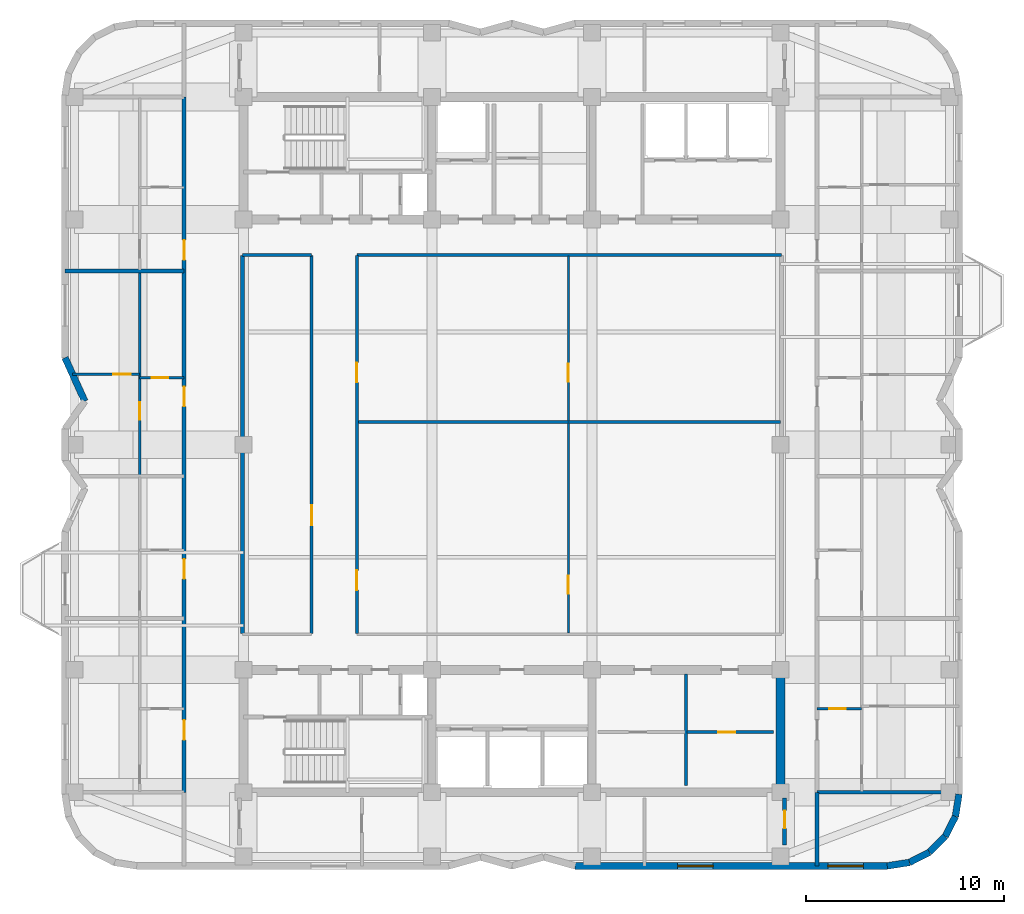
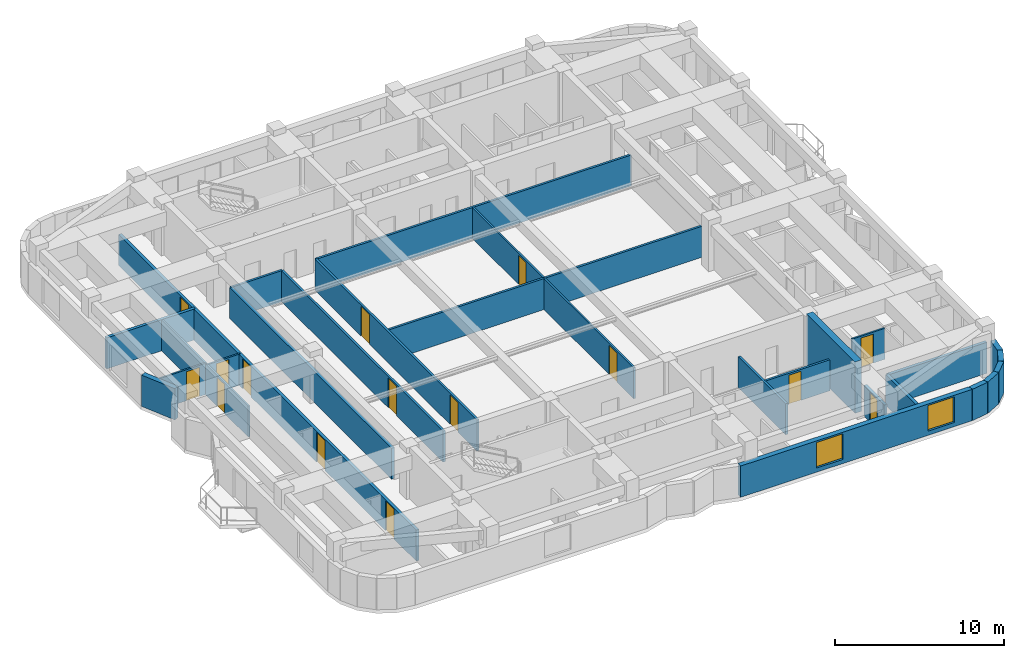
# One storey, part 4 of 9: 27 walls, 15 doors, 2 windows, 17 openings.
"""IFC4 building model written with IfcOpenShell, lengths in metres."""

from ifc_helpers import new_model, si_unit, direction, frame, frame_2d, origin, place, context, subcontext, project, spatial, rectangle, extrude, material, layer, layer_set, type_object, element, fill, save


model = new_model("IFC4")

# Units and contexts
model_context = context("Model", 3, precision=1e-05, world=origin(), true_north=direction((0.0, 1.0)))
body_context = subcontext(model_context, "Body", "Model", "MODEL_VIEW")
ifc_project = project(units=[si_unit("LENGTHUNIT", "METRE"), si_unit("AREAUNIT", "SQUARE_METRE"), si_unit("VOLUMEUNIT", "CUBIC_METRE"), si_unit("PLANEANGLEUNIT", "RADIAN"), si_unit("MASSUNIT", "GRAM", prefix="KILO")], contexts=[model_context])

# Site, building, storey
site_placement = place(None, origin())
site = spatial("IfcSite", under=ifc_project, at=site_placement, CompositionType="ELEMENT")
building_placement = place(site_placement, origin())
building = spatial("IfcBuilding", under=site, at=building_placement, Name="Svetorya Sky Lyceum", CompositionType="ELEMENT")
storey_placement = place(building_placement, frame((0.0, 0.0, 222.10009765625)))
storey = spatial("IfcBuildingStorey", under=building, at=storey_placement, Name="L55", CompositionType="ELEMENT", Elevation=222.10009765625)

# Wall
ifc_material_1 = material(Name="Concrete C50/60", Category="concrete")
ifc_layer_1 = layer(ifc_material_1, 0.449951171875)
ifc_layer_set_1 = layer_set([ifc_layer_1], Name="Concrete C50/60")
wall_type_1 = type_object("IfcWallType", Name="WL-CORE-450", PredefinedType="SHEAR", material=ifc_layer_set_1)
wall_1_placement = place(storey_placement, frame((52.800048828125, 10.824951171875, 0.0), z_axis=(0.0, 0.0, 1.0), x_axis=(0.0, 1.0, 0.0)))
element("IfcWall", 1, at=wall_1_placement, inside=storey, type_object=wall_type_1, Name="L55 SC East Core Shear Wall", PredefinedType="SHEAR", context=body_context, shape_type="SweptSolid", body=[
    extrude(rectangle(XDim=5.75, YDim=0.449951171875, at=frame_2d((2.875, 0.0))), origin(), (0.0, 0.0, 1.0), 3.699951171875),
])

# Wall, openings, windows
ifc_material_2 = material(Name="Putilovo limestone rainscreen on autoclaved cellular masonry", Category="masonry")
ifc_layer_2 = layer(ifc_material_2, 0.340087890625)
ifc_layer_set_2 = layer_set([ifc_layer_2], Name="Putilovo limestone rainscreen on autoclaved cellular masonry")
wall_type_2 = type_object("IfcWallType", Name="WL-EXT-340", PredefinedType="SOLIDWALL", material=ifc_layer_set_2)
wall_2_placement = place(storey_placement, frame((42.39990234375, 6.8701171875, 0.0), z_axis=(0.0, 0.0, 1.0), x_axis=(1.0, 0.0, 0.0)))
wall_2 = element("IfcWall", 2, at=wall_2_placement, inside=storey, type_object=wall_type_2, Name="L55 Limestone Exterior Wall 11M", PredefinedType="SOLIDWALL", context=body_context, shape_type="SweptSolid", body=[
    extrude(rectangle(XDim=15.800048828125, YDim=0.340087890625, at=frame_2d((7.89990234375, 0.0))), origin(), (0.0, 0.0, 1.0), 2.260009765625),
])
opening_1_placement = place(wall_2_placement, frame((5.1875, 0.0, 0.300048828125)))
opening_1 = element("IfcOpeningElement", 3, at=opening_1_placement, cuts=wall_2, Name="Opening W-R1", PredefinedType="OPENING", context=body_context, shape_type="SweptSolid", body=[
    extrude(rectangle(XDim=1.800048828125, YDim=1.85009765625, at=frame_2d((0.89990234375, 0.925048828125))), frame((0.0, 0.179931640625, 0.0), z_axis=(0.0, -1.0, 0.0), x_axis=(1.0, 0.0, 0.0)), (0.0, 0.0, 1.0), 0.360107421875),
])
opening_2_placement = place(wall_2_placement, frame((12.78759765625, 0.0, 0.300048828125)))
opening_2 = element("IfcOpeningElement", 4, at=opening_2_placement, cuts=wall_2, Name="Opening W-R1", PredefinedType="OPENING", context=body_context, shape_type="SweptSolid", body=[
    extrude(rectangle(XDim=1.800048828125, YDim=1.85009765625, at=frame_2d((0.89990234375, 0.925048828125))), frame((0.0, 0.179931640625, 0.0), z_axis=(0.0, -1.0, 0.0), x_axis=(1.0, 0.0, 0.0)), (0.0, 0.0, 1.0), 0.360107421875),
])
ifc_material_3 = material(Name="Thermally broken aluminium frame with triple low-E glazing", Category="aluminium")
window_type = type_object("IfcWindowType", Name="WN-RES-180", PartitioningType="DOUBLE_PANEL_VERTICAL", PredefinedType="WINDOW", material=ifc_material_3)
window_1_placement = place(opening_1_placement, origin())
window_1 = element("IfcWindow", 5, at=window_1_placement, inside=storey, type_object=window_type, Name="L55 Facade Window W-R1.11M.1", OverallHeight=1.85009765625, OverallWidth=1.800048828125, PartitioningType="SINGLE_PANEL", PredefinedType="WINDOW", context=body_context, shape_type="SweptSolid", body=[
    extrude(rectangle(XDim=1.800048828125, YDim=1.85009765625, at=frame_2d((0.89990234375, 0.925048828125))), frame((0.0, 0.030029296875, 0.0), z_axis=(0.0, -1.0, 0.0), x_axis=(1.0, 0.0, 0.0)), (0.0, 0.0, 1.0), 0.06005859375),
])
fill(opening_1, window_1)
window_2_placement = place(opening_2_placement, origin())
window_2 = element("IfcWindow", 6, at=window_2_placement, inside=storey, type_object=window_type, Name="L55 Facade Window W-R1.11M.2", OverallHeight=1.85009765625, OverallWidth=1.800048828125, PartitioningType="SINGLE_PANEL", PredefinedType="WINDOW", context=body_context, shape_type="SweptSolid", body=[
    extrude(rectangle(XDim=1.800048828125, YDim=1.85009765625, at=frame_2d((0.89990234375, 0.925048828125))), frame((0.0, 0.030029296875, 0.0), z_axis=(0.0, -1.0, 0.0), x_axis=(1.0, 0.0, 0.0)), (0.0, 0.0, 1.0), 0.06005859375),
])
fill(opening_2, window_2)

# Walls
for number, where, z_axis, x_axis, name in (
    (7, (58.199951171875, 6.8701171875, 0.0), (0.0, 0.0, 1.0), (0.987714116584, 0.156271634985, 0.0), "L55 Limestone Exterior Wall 12M"),
    (8, (59.32177734375, 7.047607421875, 0.0), (0.0, 0.0, 1.0), (0.891005044957, 0.453993402883, 0.0), "L55 Limestone Exterior Wall 13M"),
):
    element("IfcWall", number, at=place(storey_placement, frame(where, z_axis=z_axis, x_axis=x_axis)), inside=storey, type_object=wall_type_2, Name=name, PredefinedType="SOLIDWALL", context=body_context, shape_type="SweptSolid", body=[
        extrude(rectangle(XDim=1.1357421875, YDim=0.340087890625, at=frame_2d((0.56787109375, 0.0))), origin(), (0.0, 0.0, 1.0), 2.260009765625),
    ])
wall_3_placement = place(storey_placement, frame((60.333740234375, 7.563232421875, 0.0), z_axis=(0.0, 0.0, 1.0), x_axis=(0.707106781187, 0.707106781187, 0.0)))
element("IfcWall", 9, at=wall_3_placement, inside=storey, type_object=wall_type_2, Name="L55 Limestone Exterior Wall 14M", PredefinedType="SOLIDWALL", context=body_context, shape_type="SweptSolid", body=[
    extrude(rectangle(XDim=1.135498046875, YDim=0.340087890625, at=frame_2d((0.56787109375, 0.0))), origin(), (0.0, 0.0, 1.0), 2.260009765625),
])
wall_4_placement = place(storey_placement, frame((61.13671875, 8.3662109375, 0.0), z_axis=(0.0, 0.0, 1.0), x_axis=(0.45390646422, 0.891049337433, 0.0)))
element("IfcWall", 10, at=wall_4_placement, inside=storey, type_object=wall_type_2, Name="L55 Limestone Exterior Wall 15M", PredefinedType="SOLIDWALL", context=body_context, shape_type="SweptSolid", body=[
    extrude(rectangle(XDim=1.135986328125, YDim=0.340087890625, at=frame_2d((0.56787109375, 0.0))), origin(), (0.0, 0.0, 1.0), 2.260009765625),
])
wall_5_placement = place(storey_placement, frame((61.65234375, 9.37841796875, 0.0), z_axis=(0.0, 0.0, 1.0), x_axis=(0.156514556949, 0.987675651954, 0.0)))
element("IfcWall", 11, at=wall_5_placement, inside=storey, type_object=wall_type_2, Name="L55 Limestone Exterior Wall 16M", PredefinedType="SOLIDWALL", context=body_context, shape_type="SweptSolid", body=[
    extrude(rectangle(XDim=1.135498046875, YDim=0.340087890625, at=frame_2d((0.56787109375, 0.0))), origin(), (0.0, 0.0, 1.0), 2.260009765625),
])
wall_6_placement = place(storey_placement, frame((16.570068359375, 32.60009765625, 0.0), z_axis=(0.0, 0.0, 1.0), x_axis=(0.413772500085, -0.910380315128, 0.0)))
element("IfcWall", 12, at=wall_6_placement, inside=storey, type_object=wall_type_2, Name="L55 Limestone Exterior Wall 41M", PredefinedType="SOLIDWALL", context=body_context, shape_type="SweptSolid", body=[
    extrude(rectangle(XDim=2.416748046875, YDim=0.340087890625, at=frame_2d((1.20849609375, 0.0))), origin(), (0.0, 0.0, 1.0), 2.260009765625),
])

# Wall, opening, door
ifc_material_4 = material(Name="Twin-stud galvanized framing with double fireboard", Category="gypsum")
ifc_layer_3 = layer(ifc_material_4, 0.1201171875)
ifc_layer_set_3 = layer_set([ifc_layer_3], Name="Twin-stud galvanized framing with double fireboard")
wall_type_3 = type_object("IfcWallType", Name="WL-PART-120", PredefinedType="PARTITIONING", material=ifc_layer_set_3)
wall_7_placement = place(storey_placement, frame((42.06005859375, 18.659912109375, 0.0), z_axis=(0.0, 0.0, 1.0), x_axis=(0.0, 1.0, 0.0)))
wall_7 = element("IfcWall", 13, at=wall_7_placement, inside=storey, type_object=wall_type_3, Name="L55 Interior Partition OFF-VEM1", PredefinedType="PARTITIONING", context=body_context, shape_type="SweptSolid", body=[
    extrude(rectangle(XDim=10.6484375, YDim=0.1201171875, at=frame_2d((5.32421875, 0.0))), origin(), (0.0, 0.0, 1.0), 2.239990234375),
])
opening_3_placement = place(wall_7_placement, frame((2.0, 0.0, 0.0)))
opening_3 = element("IfcOpeningElement", 14, at=opening_3_placement, cuts=wall_7, Name="Opening D-RM1", PredefinedType="OPENING", context=body_context, shape_type="SweptSolid", body=[
    extrude(rectangle(XDim=0.89990234375, YDim=2.10009765625, at=frame_2d((0.449951171875, 1.050048828125))), frame((0.0, 0.070068359375, 0.0), z_axis=(0.0, -1.0, 0.0), x_axis=(1.0, 0.0, 0.0)), (0.0, 0.0, 1.0), 0.14013671875),
])
ifc_material_5 = material(Name="Lacquered birch veneer internal door")
door_type_1 = type_object("IfcDoorType", Name="DR-INT-900", OperationType="SINGLE_SWING_LEFT", PredefinedType="DOOR", material=ifc_material_5)
door_1_placement = place(opening_3_placement, origin())
door_1 = element("IfcDoor", 15, at=door_1_placement, inside=storey, type_object=door_type_1, Name="L55 East Study Door", OperationType="SINGLE_SWING_LEFT", OverallHeight=2.10009765625, OverallWidth=0.89990234375, PredefinedType="DOOR", context=body_context, shape_type="SweptSolid", body=[
    extrude(rectangle(XDim=0.89990234375, YDim=2.10009765625, at=frame_2d((0.449951171875, 1.050048828125))), frame((0.0, 0.02490234375, 0.0), z_axis=(0.0, -1.0, 0.0), x_axis=(1.0, 0.0, 0.0)), (0.0, 0.0, 1.0), 0.050048828125),
])
fill(opening_3, door_1)

wall_8_placement = place(storey_placement, frame((42.06005859375, 29.388427734375, 0.0), z_axis=(0.0, 0.0, 1.0), x_axis=(0.0, 1.0, 0.0)))
wall_8 = element("IfcWall", 16, at=wall_8_placement, inside=storey, type_object=wall_type_3, Name="L55 Interior Partition OFF-VEM2", PredefinedType="PARTITIONING", context=body_context, shape_type="SweptSolid", body=[
    extrude(rectangle(XDim=8.3515625, YDim=0.1201171875, at=frame_2d((4.17578125, 0.0))), origin(), (0.0, 0.0, 1.0), 2.239990234375),
])
opening_4_placement = place(wall_8_placement, frame((2.0, 0.0, 0.0)))
opening_4 = element("IfcOpeningElement", 17, at=opening_4_placement, cuts=wall_8, Name="Opening D-RM1", PredefinedType="OPENING", context=body_context, shape_type="SweptSolid", body=[
    extrude(rectangle(XDim=0.89990234375, YDim=2.10009765625, at=frame_2d((0.449951171875, 1.050048828125))), frame((0.0, 0.070068359375, 0.0), z_axis=(0.0, -1.0, 0.0), x_axis=(1.0, 0.0, 0.0)), (0.0, 0.0, 1.0), 0.14013671875),
])
door_2_placement = place(opening_4_placement, origin())
door_2 = element("IfcDoor", 18, at=door_2_placement, inside=storey, type_object=door_type_1, Name="L55 East Focus Door", OperationType="SINGLE_SWING_RIGHT", OverallHeight=2.10009765625, OverallWidth=0.89990234375, PredefinedType="DOOR", context=body_context, shape_type="SweptSolid", body=[
    extrude(rectangle(XDim=0.89990234375, YDim=2.10009765625, at=frame_2d((0.449951171875, 1.050048828125))), frame((0.0, 0.02490234375, 0.0), z_axis=(0.0, -1.0, 0.0), x_axis=(1.0, 0.0, 0.0)), (0.0, 0.0, 1.0), 0.050048828125),
])
fill(opening_4, door_2)

wall_9_placement = place(storey_placement, frame((20.35009765625, 31.590087890625, 0.0), z_axis=(0.0, 0.0, 1.0), x_axis=(1.0, 0.0, 0.0)))
wall_9 = element("IfcWall", 19, at=wall_9_placement, inside=storey, type_object=wall_type_3, Name="L55 Interior Partition W3-WH1", PredefinedType="PARTITIONING", context=body_context, shape_type="SweptSolid", body=[
    extrude(rectangle(XDim=2.25, YDim=0.1201171875, at=frame_2d((1.125, 0.0))), origin(), (0.0, 0.0, 1.0), 2.239990234375),
])
opening_5_placement = place(wall_9_placement, frame((0.60009765625, 0.0, 0.0)))
opening_5 = element("IfcOpeningElement", 20, at=opening_5_placement, cuts=wall_9, Name="Opening D-BT1", PredefinedType="OPENING", context=body_context, shape_type="SweptSolid", body=[
    extrude(rectangle(XDim=0.85009765625, YDim=2.10009765625, at=frame_2d((0.425048828125, 1.050048828125))), frame((0.0, 0.070068359375, 0.0), z_axis=(0.0, -1.0, 0.0), x_axis=(1.0, 0.0, 0.0)), (0.0, 0.0, 1.0), 0.14013671875),
])
ifc_material_6 = material(Name="Moisture-resistant laminate bathroom door")
door_type_2 = type_object("IfcDoorType", Name="DR-WET-850", OperationType="SINGLE_SWING_LEFT", PredefinedType="DOOR", material=ifc_material_6)
door_3_placement = place(opening_5_placement, origin())
door_3 = element("IfcDoor", 21, at=door_3_placement, inside=storey, type_object=door_type_2, Name="Apartment W3 Bathroom Door", OperationType="SINGLE_SWING_LEFT", OverallHeight=2.10009765625, OverallWidth=0.85009765625, PredefinedType="DOOR", context=body_context, shape_type="SweptSolid", body=[
    extrude(rectangle(XDim=0.85009765625, YDim=2.10009765625, at=frame_2d((0.425048828125, 1.050048828125))), frame((0.0, 0.02490234375, 0.0), z_axis=(0.0, -1.0, 0.0), x_axis=(1.0, 0.0, 0.0)), (0.0, 0.0, 1.0), 0.050048828125),
])
fill(opening_5, door_3)

wall_10_placement = place(storey_placement, frame((16.951904296875, 31.760009765625, 0.0), z_axis=(0.0, 0.0, 1.0), x_axis=(1.0, 0.0, 0.0)))
wall_10 = element("IfcWall", 22, at=wall_10_placement, inside=storey, type_object=wall_type_3, Name="L55 Interior Partition W3-WL1", PredefinedType="PARTITIONING", context=body_context, shape_type="SweptSolid", body=[
    extrude(rectangle(XDim=3.398193359375, YDim=0.1201171875, at=frame_2d((1.69921875, 0.0))), origin(), (0.0, 0.0, 1.0), 2.239990234375),
])
opening_6_placement = place(wall_10_placement, frame((2.048095703125, 0.0, 0.0)))
opening_6 = element("IfcOpeningElement", 23, at=opening_6_placement, cuts=wall_10, Name="Opening D-RM1", PredefinedType="OPENING", context=body_context, shape_type="SweptSolid", body=[
    extrude(rectangle(XDim=0.89990234375, YDim=2.10009765625, at=frame_2d((0.449951171875, 1.050048828125))), frame((0.0, 0.070068359375, 0.0), z_axis=(0.0, -1.0, 0.0), x_axis=(1.0, 0.0, 0.0)), (0.0, 0.0, 1.0), 0.14013671875),
])
door_4_placement = place(opening_6_placement, origin())
door_4 = element("IfcDoor", 24, at=door_4_placement, inside=storey, type_object=door_type_1, Name="Apartment W3 Bedroom 1 Door", OperationType="SINGLE_SWING_LEFT", OverallHeight=2.10009765625, OverallWidth=0.89990234375, PredefinedType="DOOR", context=body_context, shape_type="SweptSolid", body=[
    extrude(rectangle(XDim=0.89990234375, YDim=2.10009765625, at=frame_2d((0.449951171875, 1.050048828125))), frame((0.0, 0.02490234375, 0.0), z_axis=(0.0, -1.0, 0.0), x_axis=(1.0, 0.0, 0.0)), (0.0, 0.0, 1.0), 0.050048828125),
])
fill(opening_6, door_4)

wall_11_placement = place(storey_placement, frame((20.35009765625, 26.639892578125, 0.0), z_axis=(0.0, 0.0, 1.0), x_axis=(0.0, 1.0, 0.0)))
wall_11 = element("IfcWall", 25, at=wall_11_placement, inside=storey, type_object=wall_type_3, Name="L55 Interior Partition W3-WV", PredefinedType="PARTITIONING", context=body_context, shape_type="SweptSolid", body=[
    extrude(rectangle(XDim=10.320068359375, YDim=0.1201171875, at=frame_2d((5.16015625, 0.0))), origin(), (0.0, 0.0, 1.0), 2.239990234375),
])
opening_7_placement = place(wall_11_placement, frame((2.81005859375, 0.0, 0.0)))
opening_7 = element("IfcOpeningElement", 26, at=opening_7_placement, cuts=wall_11, Name="Opening D-RM1", PredefinedType="OPENING", context=body_context, shape_type="SweptSolid", body=[
    extrude(rectangle(XDim=0.89990234375, YDim=2.10009765625, at=frame_2d((0.449951171875, 1.050048828125))), frame((0.0, 0.070068359375, 0.0), z_axis=(0.0, -1.0, 0.0), x_axis=(1.0, 0.0, 0.0)), (0.0, 0.0, 1.0), 0.14013671875),
])
door_5_placement = place(opening_7_placement, origin())
door_5 = element("IfcDoor", 27, at=door_5_placement, inside=storey, type_object=door_type_1, Name="Apartment W3 Living Door", OperationType="SINGLE_SWING_RIGHT", OverallHeight=2.10009765625, OverallWidth=0.89990234375, PredefinedType="DOOR", context=body_context, shape_type="SweptSolid", body=[
    extrude(rectangle(XDim=0.89990234375, YDim=2.10009765625, at=frame_2d((0.449951171875, 1.050048828125))), frame((0.0, 0.02490234375, 0.0), z_axis=(0.0, -1.0, 0.0), x_axis=(1.0, 0.0, 0.0)), (0.0, 0.0, 1.0), 0.050048828125),
])
fill(opening_7, door_5)

wall_12_placement = place(storey_placement, frame((54.64990234375, 14.820068359375, 0.0), z_axis=(0.0, 0.0, 1.0), x_axis=(1.0, 0.0, 0.0)))
wall_12 = element("IfcWall", 28, at=wall_12_placement, inside=storey, type_object=wall_type_3, Name="L55 Interior Partition E1-WH1", PredefinedType="PARTITIONING", context=body_context, shape_type="SweptSolid", body=[
    extrude(rectangle(XDim=2.25, YDim=0.1201171875, at=frame_2d((1.125, 0.0))), origin(), (0.0, 0.0, 1.0), 2.239990234375),
])
opening_8_placement = place(wall_12_placement, frame((0.60009765625, 0.0, 0.0)))
opening_8 = element("IfcOpeningElement", 29, at=opening_8_placement, cuts=wall_12, Name="Opening D-BT1", PredefinedType="OPENING", context=body_context, shape_type="SweptSolid", body=[
    extrude(rectangle(XDim=0.85009765625, YDim=2.10009765625, at=frame_2d((0.425048828125, 1.050048828125))), frame((0.0, 0.070068359375, 0.0), z_axis=(0.0, -1.0, 0.0), x_axis=(1.0, 0.0, 0.0)), (0.0, 0.0, 1.0), 0.14013671875),
])
door_6_placement = place(opening_8_placement, origin())
door_6 = element("IfcDoor", 30, at=door_6_placement, inside=storey, type_object=door_type_2, Name="Apartment E1 Bathroom Door", OperationType="SINGLE_SWING_RIGHT", OverallHeight=2.10009765625, OverallWidth=0.85009765625, PredefinedType="DOOR", context=body_context, shape_type="SweptSolid", body=[
    extrude(rectangle(XDim=0.85009765625, YDim=2.10009765625, at=frame_2d((0.425048828125, 1.050048828125))), frame((0.0, 0.02490234375, 0.0), z_axis=(0.0, -1.0, 0.0), x_axis=(1.0, 0.0, 0.0)), (0.0, 0.0, 1.0), 0.050048828125),
])
fill(opening_8, door_6)

# Wall
ifc_material_7 = material(Name="Autoclaved cellular masonry blockwork with acoustic render", Category="masonry")
ifc_layer_4 = layer(ifc_material_7, 0.14990234375)
ifc_layer_set_4 = layer_set([ifc_layer_4], Name="Autoclaved cellular masonry blockwork with acoustic render")
wall_type_4 = type_object("IfcWallType", Name="WL-PART-150", PredefinedType="PARTITIONING", material=ifc_layer_set_4)
wall_13_placement = place(storey_placement, frame((48.0, 10.949951171875, 0.0), z_axis=(0.0, 0.0, 1.0), x_axis=(0.0, 1.0, 0.0)))
element("IfcWall", 31, at=wall_13_placement, inside=storey, type_object=wall_type_4, Name="L55 Interior Partition SC-LV7-V", PredefinedType="PARTITIONING", context=body_context, shape_type="SweptSolid", body=[
    extrude(rectangle(XDim=5.630126953125, YDim=0.14990234375, at=frame_2d((2.81494140625, 0.0))), origin(), (0.0, 0.0, 1.0), 2.239990234375),
])

# Wall, opening, door
wall_14_placement = place(storey_placement, frame((48.050048828125, 13.64990234375, 0.0), z_axis=(0.0, 0.0, 1.0), x_axis=(1.0, 0.0, 0.0)))
wall_14 = element("IfcWall", 32, at=wall_14_placement, inside=storey, type_object=wall_type_4, Name="L55 Interior Partition SC-LV7-HE", PredefinedType="PARTITIONING", context=body_context, shape_type="SweptSolid", body=[
    extrude(rectangle(XDim=4.39990234375, YDim=0.14990234375, at=frame_2d((2.199951171875, 0.0))), origin(), (0.0, 0.0, 1.0), 2.239990234375),
])
opening_9_placement = place(wall_14_placement, frame((1.60009765625, 0.0, 0.0)))
opening_9 = element("IfcOpeningElement", 33, at=opening_9_placement, cuts=wall_14, Name="Opening D-CWC1", PredefinedType="OPENING", context=body_context, shape_type="SweptSolid", body=[
    extrude(rectangle(XDim=0.85009765625, YDim=2.10009765625, at=frame_2d((0.425048828125, 1.050048828125))), frame((0.0, 0.0849609375, 0.0), z_axis=(0.0, -1.0, 0.0), x_axis=(1.0, 0.0, 0.0)), (0.0, 0.0, 1.0), 0.169921875),
])
ifc_material_8 = material(Name="Fire-rated galvanized steel core service closet door", Category="steel")
door_type_3 = type_object("IfcDoorType", Name="DR-CWET-850", OperationType="SINGLE_SWING_LEFT", PredefinedType="DOOR", material=ifc_material_8)
door_7_placement = place(opening_9_placement, origin())
door_7 = element("IfcDoor", 34, at=door_7_placement, inside=storey, type_object=door_type_3, Name="L55 South Server Closet Door", OperationType="SINGLE_SWING_RIGHT", OverallHeight=2.10009765625, OverallWidth=0.85009765625, PredefinedType="DOOR", context=body_context, shape_type="SweptSolid", body=[
    extrude(rectangle(XDim=0.85009765625, YDim=2.10009765625, at=frame_2d((0.425048828125, 1.050048828125))), frame((0.0, 0.02490234375, 0.0), z_axis=(0.0, -1.0, 0.0), x_axis=(1.0, 0.0, 0.0)), (0.0, 0.0, 1.0), 0.050048828125),
])
fill(opening_9, door_7)

# Walls
wall_15_placement = place(storey_placement, frame((25.550048828125, 37.800048828125, 0.0), z_axis=(0.0, 0.0, 1.0), x_axis=(1.0, 0.0, 0.0)))
element("IfcWall", 35, at=wall_15_placement, inside=storey, type_object=wall_type_4, Name="L55 Interior Partition OFF-CN-W", PredefinedType="PARTITIONING", context=body_context, shape_type="SweptSolid", body=[
    extrude(rectangle(XDim=3.5, YDim=0.14990234375, at=frame_2d((1.75, 0.0))), origin(), (0.0, 0.0, 1.0), 2.239990234375),
])
wall_16_placement = place(storey_placement, frame((31.35009765625, 37.800048828125, 0.0), z_axis=(0.0, 0.0, 1.0), x_axis=(1.0, 0.0, 0.0)))
element("IfcWall", 36, at=wall_16_placement, inside=storey, type_object=wall_type_4, Name="L55 Interior Partition OFF-CN-E", PredefinedType="PARTITIONING", context=body_context, shape_type="SweptSolid", body=[
    extrude(rectangle(XDim=21.5, YDim=0.14990234375, at=frame_2d((10.75, 0.0))), origin(), (0.0, 0.0, 1.0), 2.239990234375),
])
wall_17_placement = place(storey_placement, frame((31.3798828125, 29.348388671875, 0.0), z_axis=(0.0, 0.0, 1.0), x_axis=(1.0, 0.0, 0.0)))
element("IfcWall", 37, at=wall_17_placement, inside=storey, type_object=wall_type_4, Name="L55 Interior Partition OFF-HE", PredefinedType="PARTITIONING", context=body_context, shape_type="SweptSolid", body=[
    extrude(rectangle(XDim=21.420166015625, YDim=0.14990234375, at=frame_2d((10.7099609375, 0.0))), origin(), (0.0, 0.0, 1.0), 2.239990234375),
])

# Wall, opening, door
wall_18_placement = place(storey_placement, frame((29.050048828125, 18.6298828125, 0.0), z_axis=(0.0, 0.0, 1.0), x_axis=(0.0, 1.0, 0.0)))
wall_18 = element("IfcWall", 38, at=wall_18_placement, inside=storey, type_object=wall_type_4, Name="L55 Interior Partition OFF-VW", PredefinedType="PARTITIONING", context=body_context, shape_type="SweptSolid", body=[
    extrude(rectangle(XDim=19.14013671875, YDim=0.14990234375, at=frame_2d((9.570068359375, 0.0))), origin(), (0.0, 0.0, 1.0), 2.239990234375),
])
opening_10_placement = place(wall_18_placement, frame((5.5, 0.0, 0.0)))
opening_10 = element("IfcOpeningElement", 39, at=opening_10_placement, cuts=wall_18, Name="Opening D-RM2", PredefinedType="OPENING", context=body_context, shape_type="SweptSolid", body=[
    extrude(rectangle(XDim=1.0, YDim=2.14990234375, at=frame_2d((0.5, 1.074951171875))), frame((0.0, 0.0849609375, 0.0), z_axis=(0.0, -1.0, 0.0), x_axis=(1.0, 0.0, 0.0)), (0.0, 0.0, 1.0), 0.169921875),
])
ifc_material_9 = material(Name="Solid-core oak acoustic room door")
door_type_4 = type_object("IfcDoorType", Name="DR-INT-1000", OperationType="SINGLE_SWING_LEFT", PredefinedType="DOOR", material=ifc_material_9)
door_8_placement = place(opening_10_placement, origin())
door_8 = element("IfcDoor", 40, at=door_8_placement, inside=storey, type_object=door_type_4, Name="L55 West Office Door", OperationType="SINGLE_SWING_LEFT", OverallHeight=2.14990234375, OverallWidth=1.0, PredefinedType="DOOR", context=body_context, shape_type="SweptSolid", body=[
    extrude(rectangle(XDim=1.0, YDim=2.14990234375, at=frame_2d((0.5, 1.074951171875))), frame((0.0, 0.02490234375, 0.0), z_axis=(0.0, -1.0, 0.0), x_axis=(1.0, 0.0, 0.0)), (0.0, 0.0, 1.0), 0.050048828125),
])
fill(opening_10, door_8)

# Wall, openings, doors
wall_19_placement = place(storey_placement, frame((31.35009765625, 18.6298828125, 0.0), z_axis=(0.0, 0.0, 1.0), x_axis=(0.0, 1.0, 0.0)))
wall_19 = element("IfcWall", 41, at=wall_19_placement, inside=storey, type_object=wall_type_4, Name="L55 Interior Partition OFF-VE", PredefinedType="PARTITIONING", context=body_context, shape_type="SweptSolid", body=[
    extrude(rectangle(XDim=19.14013671875, YDim=0.14990234375, at=frame_2d((9.570068359375, 0.0))), origin(), (0.0, 0.0, 1.0), 2.239990234375),
])
opening_11_placement = place(wall_19_placement, frame((2.199951171875, 0.0, 0.0)))
opening_11 = element("IfcOpeningElement", 42, at=opening_11_placement, cuts=wall_19, Name="Opening D-RM2", PredefinedType="OPENING", context=body_context, shape_type="SweptSolid", body=[
    extrude(rectangle(XDim=1.0, YDim=2.14990234375, at=frame_2d((0.5, 1.074951171875))), frame((0.0, 0.0849609375, 0.0), z_axis=(0.0, -1.0, 0.0), x_axis=(1.0, 0.0, 0.0)), (0.0, 0.0, 1.0), 0.169921875),
])
opening_12_placement = place(wall_19_placement, frame((12.718505859375, 0.0, 0.0)))
opening_12 = element("IfcOpeningElement", 43, at=opening_12_placement, cuts=wall_19, Name="Opening D-RM2", PredefinedType="OPENING", context=body_context, shape_type="SweptSolid", body=[
    extrude(rectangle(XDim=1.0, YDim=2.14990234375, at=frame_2d((0.5, 1.074951171875))), frame((0.0, 0.0849609375, 0.0), z_axis=(0.0, -1.0, 0.0), x_axis=(1.0, 0.0, 0.0)), (0.0, 0.0, 1.0), 0.169921875),
])
door_9_placement = place(opening_11_placement, origin())
door_9 = element("IfcDoor", 44, at=door_9_placement, inside=storey, type_object=door_type_4, Name="L55 Meeting Door", OperationType="SINGLE_SWING_RIGHT", OverallHeight=2.14990234375, OverallWidth=1.0, PredefinedType="DOOR", context=body_context, shape_type="SweptSolid", body=[
    extrude(rectangle(XDim=1.0, YDim=2.14990234375, at=frame_2d((0.5, 1.074951171875))), frame((0.0, 0.02490234375, 0.0), z_axis=(0.0, -1.0, 0.0), x_axis=(1.0, 0.0, 0.0)), (0.0, 0.0, 1.0), 0.050048828125),
])
fill(opening_11, door_9)
door_10_placement = place(opening_12_placement, origin())
door_10 = element("IfcDoor", 45, at=door_10_placement, inside=storey, type_object=door_type_4, Name="L55 North Room Door", OperationType="SINGLE_SWING_LEFT", OverallHeight=2.14990234375, OverallWidth=1.0, PredefinedType="DOOR", context=body_context, shape_type="SweptSolid", body=[
    extrude(rectangle(XDim=1.0, YDim=2.14990234375, at=frame_2d((0.5, 1.074951171875))), frame((0.0, 0.02490234375, 0.0), z_axis=(0.0, -1.0, 0.0), x_axis=(1.0, 0.0, 0.0)), (0.0, 0.0, 1.0), 0.050048828125),
])
fill(opening_12, door_10)

# Walls
ifc_material_10 = material(Name="Autoclaved cellular masonry blockwork with gypsum plaster", Category="masonry")
ifc_layer_5 = layer(ifc_material_10, 0.199951171875)
ifc_layer_set_5 = layer_set([ifc_layer_5], Name="Autoclaved cellular masonry blockwork with gypsum plaster")
wall_type_5 = type_object("IfcWallType", Name="WL-PART-200", PredefinedType="PARTITIONING", material=ifc_layer_set_5)
wall_20_placement = place(storey_placement, frame((25.550048828125, 18.6298828125, 0.0), z_axis=(0.0, 0.0, 1.0), x_axis=(0.0, 1.0, 0.0)))
element("IfcWall", 46, at=wall_20_placement, inside=storey, type_object=wall_type_5, Name="L55 Interior Partition W-CEN-SEP", PredefinedType="PARTITIONING", context=body_context, shape_type="SweptSolid", body=[
    extrude(rectangle(XDim=19.14013671875, YDim=0.199951171875, at=frame_2d((9.570068359375, 0.0))), origin(), (0.0, 0.0, 1.0), 2.239990234375),
])
wall_21_placement = place(storey_placement, frame((16.570068359375, 37.0, 0.0), z_axis=(0.0, 0.0, 1.0), x_axis=(1.0, 0.0, 0.0)))
element("IfcWall", 47, at=wall_21_placement, inside=storey, type_object=wall_type_5, Name="L55 Interior Partition W-PARTY-3", PredefinedType="PARTITIONING", context=body_context, shape_type="SweptSolid", body=[
    extrude(rectangle(XDim=6.030029296875, YDim=0.199951171875, at=frame_2d((3.01513671875, 0.0))), origin(), (0.0, 0.0, 1.0), 2.239990234375),
])

# Wall, openings, doors
wall_22_placement = place(storey_placement, frame((22.60009765625, 10.60009765625, 0.0), z_axis=(0.0, 0.0, 1.0), x_axis=(0.0, 1.0, 0.0)))
wall_22 = element("IfcWall", 48, at=wall_22_placement, inside=storey, type_object=wall_type_5, Name="L55 Interior Partition W-CORRW", PredefinedType="PARTITIONING", context=body_context, shape_type="SweptSolid", body=[
    extrude(rectangle(XDim=35.199951171875, YDim=0.199951171875, at=frame_2d((17.60009765625, 0.0))), origin(), (0.0, 0.0, 1.0), 2.239990234375),
])
opening_13_placement = place(wall_22_placement, frame((2.64990234375, 0.0, 0.0)))
opening_13 = element("IfcOpeningElement", 49, at=opening_13_placement, cuts=wall_22, Name="Opening D-APT1", PredefinedType="OPENING", context=body_context, shape_type="SweptSolid", body=[
    extrude(rectangle(XDim=1.0, YDim=2.14990234375, at=frame_2d((0.5, 1.074951171875))), frame((0.0, 0.10986328125, 0.0), z_axis=(0.0, -1.0, 0.0), x_axis=(1.0, 0.0, 0.0)), (0.0, 0.0, 1.0), 0.219970703125),
])
opening_14_placement = place(wall_22_placement, frame((10.81005859375, 0.0, 0.0)))
opening_14 = element("IfcOpeningElement", 50, at=opening_14_placement, cuts=wall_22, Name="Opening D-APT1", PredefinedType="OPENING", context=body_context, shape_type="SweptSolid", body=[
    extrude(rectangle(XDim=1.0, YDim=2.14990234375, at=frame_2d((0.5, 1.074951171875))), frame((0.0, 0.10986328125, 0.0), z_axis=(0.0, -1.0, 0.0), x_axis=(1.0, 0.0, 0.0)), (0.0, 0.0, 1.0), 0.219970703125),
])
opening_15_placement = place(wall_22_placement, frame((19.5400390625, 0.0, 0.0)))
opening_15 = element("IfcOpeningElement", 51, at=opening_15_placement, cuts=wall_22, Name="Opening D-APT1", PredefinedType="OPENING", context=body_context, shape_type="SweptSolid", body=[
    extrude(rectangle(XDim=1.0, YDim=2.14990234375, at=frame_2d((0.5, 1.074951171875))), frame((0.0, 0.10986328125, 0.0), z_axis=(0.0, -1.0, 0.0), x_axis=(1.0, 0.0, 0.0)), (0.0, 0.0, 1.0), 0.219970703125),
])
opening_16_placement = place(wall_22_placement, frame((26.949951171875, 0.0, 0.0)))
opening_16 = element("IfcOpeningElement", 52, at=opening_16_placement, cuts=wall_22, Name="Opening D-APT1", PredefinedType="OPENING", context=body_context, shape_type="SweptSolid", body=[
    extrude(rectangle(XDim=1.0, YDim=2.14990234375, at=frame_2d((0.5, 1.074951171875))), frame((0.0, 0.10986328125, 0.0), z_axis=(0.0, -1.0, 0.0), x_axis=(1.0, 0.0, 0.0)), (0.0, 0.0, 1.0), 0.219970703125),
])
ifc_material_11 = material(Name="Insulated oak-veneered apartment entrance door")
door_type_5 = type_object("IfcDoorType", Name="DR-APT-1000", OperationType="SINGLE_SWING_LEFT", PredefinedType="DOOR", material=ifc_material_11)
door_11_placement = place(opening_13_placement, origin())
door_11 = element("IfcDoor", 53, at=door_11_placement, inside=storey, type_object=door_type_5, Name="L55 Apartment W1 Entrance Door", OperationType="SINGLE_SWING_LEFT", OverallHeight=2.14990234375, OverallWidth=1.0, PredefinedType="DOOR", context=body_context, shape_type="SweptSolid", body=[
    extrude(rectangle(XDim=1.0, YDim=2.14990234375, at=frame_2d((0.5, 1.074951171875))), frame((0.0, 0.02490234375, 0.0), z_axis=(0.0, -1.0, 0.0), x_axis=(1.0, 0.0, 0.0)), (0.0, 0.0, 1.0), 0.050048828125),
])
fill(opening_13, door_11)
door_12_placement = place(opening_14_placement, origin())
door_12 = element("IfcDoor", 54, at=door_12_placement, inside=storey, type_object=door_type_5, Name="L55 Apartment W2 Entrance Door", OperationType="SINGLE_SWING_RIGHT", OverallHeight=2.14990234375, OverallWidth=1.0, PredefinedType="DOOR", context=body_context, shape_type="SweptSolid", body=[
    extrude(rectangle(XDim=1.0, YDim=2.14990234375, at=frame_2d((0.5, 1.074951171875))), frame((0.0, 0.02490234375, 0.0), z_axis=(0.0, -1.0, 0.0), x_axis=(1.0, 0.0, 0.0)), (0.0, 0.0, 1.0), 0.050048828125),
])
fill(opening_14, door_12)
door_13_placement = place(opening_15_placement, origin())
door_13 = element("IfcDoor", 55, at=door_13_placement, inside=storey, type_object=door_type_5, Name="L55 Apartment W3 Entrance Door", OperationType="SINGLE_SWING_LEFT", OverallHeight=2.14990234375, OverallWidth=1.0, PredefinedType="DOOR", context=body_context, shape_type="SweptSolid", body=[
    extrude(rectangle(XDim=1.0, YDim=2.14990234375, at=frame_2d((0.5, 1.074951171875))), frame((0.0, 0.02490234375, 0.0), z_axis=(0.0, -1.0, 0.0), x_axis=(1.0, 0.0, 0.0)), (0.0, 0.0, 1.0), 0.050048828125),
])
fill(opening_15, door_13)
door_14_placement = place(opening_16_placement, origin())
door_14 = element("IfcDoor", 56, at=door_14_placement, inside=storey, type_object=door_type_5, Name="L55 Apartment W4 Entrance Door", OperationType="SINGLE_SWING_RIGHT", OverallHeight=2.14990234375, OverallWidth=1.0, PredefinedType="DOOR", context=body_context, shape_type="SweptSolid", body=[
    extrude(rectangle(XDim=1.0, YDim=2.14990234375, at=frame_2d((0.5, 1.074951171875))), frame((0.0, 0.02490234375, 0.0), z_axis=(0.0, -1.0, 0.0), x_axis=(1.0, 0.0, 0.0)), (0.0, 0.0, 1.0), 0.050048828125),
])
fill(opening_16, door_14)

# Walls
wall_23_placement = place(storey_placement, frame((54.64990234375, 10.60009765625, 0.0), z_axis=(0.0, 0.0, 1.0), x_axis=(1.0, 0.0, 0.0)))
element("IfcWall", 57, at=wall_23_placement, inside=storey, type_object=wall_type_5, Name="L55 Interior Partition E-CAP-S", PredefinedType="PARTITIONING", context=body_context, shape_type="SweptSolid", body=[
    extrude(rectangle(XDim=6.760009765625, YDim=0.199951171875, at=frame_2d((3.3798828125, 0.0))), origin(), (0.0, 0.0, 1.0), 2.239990234375),
])
wall_24_placement = place(storey_placement, frame((54.64990234375, 6.8701171875, 0.0), z_axis=(0.0, 0.0, 1.0), x_axis=(0.0, 1.0, 0.0)))
element("IfcWall", 58, at=wall_24_placement, inside=storey, type_object=wall_type_5, Name="L55 Interior Partition EC-SE-END", PredefinedType="PARTITIONING", context=body_context, shape_type="SweptSolid", body=[
    extrude(rectangle(XDim=3.72998046875, YDim=0.199951171875, at=frame_2d((1.864990234375, 0.0))), origin(), (0.0, 0.0, 1.0), 2.239990234375),
])

# Wall, opening, door
wall_25_placement = place(storey_placement, frame((53.0, 7.919921875, 0.0), z_axis=(0.0, 0.0, 1.0), x_axis=(0.0, 1.0, 0.0)))
wall_25 = element("IfcWall", 59, at=wall_25_placement, inside=storey, type_object=wall_type_5, Name="L55 Interior Partition S-EE", PredefinedType="PARTITIONING", context=body_context, shape_type="SweptSolid", body=[
    extrude(rectangle(XDim=2.380126953125, YDim=0.199951171875, at=frame_2d((1.18994140625, 0.0))), origin(), (0.0, 0.0, 1.0), 2.239990234375),
])
opening_17_placement = place(wall_25_placement, frame((0.85009765625, 0.0, 0.0)))
opening_17 = element("IfcOpeningElement", 60, at=opening_17_placement, cuts=wall_25, Name="Opening D-RM1", PredefinedType="OPENING", context=body_context, shape_type="SweptSolid", body=[
    extrude(rectangle(XDim=0.89990234375, YDim=2.10009765625, at=frame_2d((0.449951171875, 1.050048828125))), frame((0.0, 0.10986328125, 0.0), z_axis=(0.0, -1.0, 0.0), x_axis=(1.0, 0.0, 0.0)), (0.0, 0.0, 1.0), 0.219970703125),
])
door_15_placement = place(opening_17_placement, origin())
door_15 = element("IfcDoor", 61, at=door_15_placement, inside=storey, type_object=door_type_1, Name="L55 South Focus Door", OperationType="SINGLE_SWING_RIGHT", OverallHeight=2.10009765625, OverallWidth=0.89990234375, PredefinedType="DOOR", context=body_context, shape_type="SweptSolid", body=[
    extrude(rectangle(XDim=0.89990234375, YDim=2.10009765625, at=frame_2d((0.449951171875, 1.050048828125))), frame((0.0, 0.02490234375, 0.0), z_axis=(0.0, -1.0, 0.0), x_axis=(1.0, 0.0, 0.0)), (0.0, 0.0, 1.0), 0.050048828125),
])
fill(opening_17, door_15)

save(model, "model.ifc")
